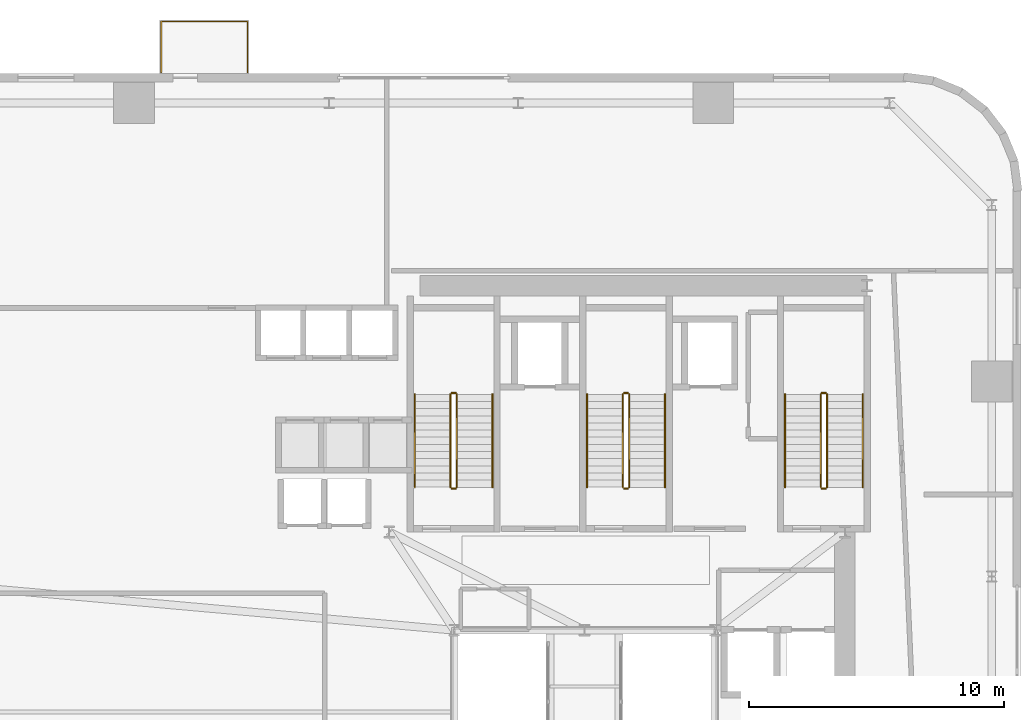
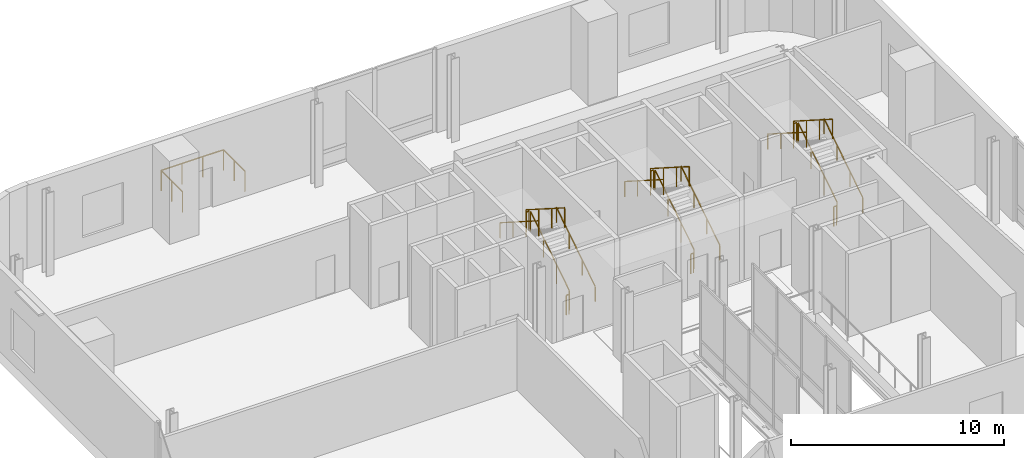
# One storey, part 12 of 13: 19 railings.
"""IFC4 building model written with IfcOpenShell, lengths in metres."""

from ifc_helpers import new_model, si_unit, direction, frame, origin, origin_2d, place, context, subcontext, project, spatial, rectangle, extrude, source, transform, mapped, material, type_object, element, save


model = new_model("IFC4")

# Units and contexts
model_context = context("Model", 3, precision=1e-05, world=origin(), true_north=direction((0.0, 1.0)))
body_context = subcontext(model_context, "Body", "Model", "MODEL_VIEW")
ifc_project = project(units=[si_unit("LENGTHUNIT", "METRE"), si_unit("AREAUNIT", "SQUARE_METRE"), si_unit("VOLUMEUNIT", "CUBIC_METRE"), si_unit("PLANEANGLEUNIT", "RADIAN"), si_unit("MASSUNIT", "GRAM", prefix="KILO")], contexts=[model_context])

# Site, building, storey
site_placement = place(None, origin())
site = spatial("IfcSite", under=ifc_project, at=site_placement, CompositionType="ELEMENT")
building_placement = place(site_placement, origin())
building = spatial("IfcBuilding", under=site, at=building_placement, Name="Vardaveli Station Tower", CompositionType="ELEMENT")
storey_placement = place(building_placement, frame((0.0, 0.0, 98.699951171875)))
storey = spatial("IfcBuildingStorey", under=building, at=storey_placement, Name="L25", CompositionType="ELEMENT", Elevation=98.699951171875)

# Railings
ifc_material_1 = material(Name="Laminated glass and stainless steel balustrade", Category="steel")
railing_type_1 = type_object("IfcRailingType", Name="RL-BAL-1200", PredefinedType="BALUSTRADE", material=ifc_material_1)
shared_shape_1 = source(origin(), body_context, "Body", "SweptSolid", [
    extrude(rectangle(XDim=0.048095703125, YDim=0.048095703125, at=origin_2d()), frame((0.0, 0.0, 1.17578125), z_axis=(0.0, 1.0, 0.0), x_axis=(-1.0, 0.0, 0.0)), (0.0, 0.0, 1.0), 2.0),
    extrude(rectangle(XDim=0.048095703125, YDim=0.048095703125, at=origin_2d()), frame((0.0, 2.0, 1.17578125), z_axis=(1.0, 0.0, 0.0), x_axis=(0.0, 1.0, 0.0)), (0.0, 0.0, 1.0), 3.3798828125),
    extrude(rectangle(XDim=0.048095703125, YDim=0.048095703125, at=origin_2d()), frame((3.3798828125, 2.0, 1.17578125), z_axis=(0.0, -1.0, 0.0), x_axis=(1.0, 0.0, 0.0)), (0.0, 0.0, 1.0), 2.0),
    extrude(rectangle(XDim=0.0419921875, YDim=0.0419921875, at=origin_2d()), origin(), (0.0, 0.0, 1.0), 1.15185546875),
    extrude(rectangle(XDim=0.0419921875, YDim=0.0419921875, at=origin_2d()), frame((0.0, 1.0, 0.0)), (0.0, 0.0, 1.0), 1.15185546875),
    extrude(rectangle(XDim=0.0419921875, YDim=0.0419921875, at=origin_2d()), frame((0.0, 2.0, 0.0)), (0.0, 0.0, 1.0), 1.15185546875),
    extrude(rectangle(XDim=0.0419921875, YDim=0.0419921875, at=origin_2d()), frame((1.126708984375, 2.0, 0.0)), (0.0, 0.0, 1.0), 1.15185546875),
    extrude(rectangle(XDim=0.0419921875, YDim=0.0419921875, at=origin_2d()), frame((2.253173828125, 2.0, 0.0)), (0.0, 0.0, 1.0), 1.15185546875),
    extrude(rectangle(XDim=0.0419921875, YDim=0.0419921875, at=origin_2d()), frame((3.3798828125, 2.0, 0.0)), (0.0, 0.0, 1.0), 1.15185546875),
    extrude(rectangle(XDim=0.0419921875, YDim=0.0419921875, at=origin_2d()), frame((3.3798828125, 1.0, 0.0)), (0.0, 0.0, 1.0), 1.15185546875),
    extrude(rectangle(XDim=0.0419921875, YDim=0.0419921875, at=origin_2d()), frame((3.3798828125, 0.0, 0.0)), (0.0, 0.0, 1.0), 1.15185546875),
])
railing_placement = place(storey_placement, frame((19.720458984375, 48.639892578125, 0.0)))
element("IfcRailing", 1, at=railing_placement, inside=storey, type_object=railing_type_1, Name="RL-LOG-L25-02", PredefinedType="BALUSTRADE", context=body_context, shape_type="MappedRepresentation", body=[
    mapped(shared_shape_1, transform((0.0, 0.0, 0.0), scale=1.0)),
])
ifc_material_2 = material(Name="Brushed AISI 316 stainless steel", Category="steel")
railing_type_2 = type_object("IfcRailingType", Name="RL-GUARD-1150", PredefinedType="GUARDRAIL", material=ifc_material_2)
shared_shape_2 = source(origin(), body_context, "Body", "SweptSolid", [
    extrude(rectangle(XDim=0.048095703125, YDim=0.048095703125, at=origin_2d()), frame((0.0, 0.0, 1.1259765625), z_axis=(-1.0, 0.0, 0.0), x_axis=(0.0, -1.0, 0.0)), (0.0, 0.0, 1.0), 0.14990234375),
    extrude(rectangle(XDim=0.0419921875, YDim=0.0419921875, at=origin_2d()), origin(), (0.0, 0.0, 1.0), 1.101806640625),
    extrude(rectangle(XDim=0.0419921875, YDim=0.0419921875, at=origin_2d()), frame((-0.14990234375, 0.0, 0.0)), (0.0, 0.0, 1.0), 1.101806640625),
])
for number, where, name in (
    (2, (31.25, 36.090087890625, 2.5), "L25 ST-1 stair guard 2"),
    (3, (31.25, 32.35009765625, 0.0), "L25 ST-1 stair guard 4"),
    (4, (38.0, 36.090087890625, 2.5), "L25 ST-2 stair guard 2"),
    (5, (38.0, 32.35009765625, 0.0), "L25 ST-2 stair guard 4"),
    (6, (45.75, 36.090087890625, 2.5), "L25 ST-3 stair guard 2"),
    (7, (45.75, 32.35009765625, 0.0), "L25 ST-3 stair guard 4"),
):
    element("IfcRailing", number, at=place(storey_placement, frame(where)), inside=storey, type_object=railing_type_2, Name=name, PredefinedType="GUARDRAIL", context=body_context, shape_type="MappedRepresentation", body=[
        mapped(shared_shape_2, transform((0.0, 0.0, 0.0), scale=1.0)),
    ])
shared_shape_3 = source(origin(), body_context, "Body", "SweptSolid", [
    extrude(rectangle(XDim=0.048095703125, YDim=0.048095703125, at=origin_2d()), frame((0.0, 0.0, 1.1259765625), z_axis=(0.0, 0.843153495434, 0.537672933239), x_axis=(-1.0, 0.0, 0.0)), (0.0, 0.0, 1.0), 4.3173828125),
    extrude(rectangle(XDim=0.0419921875, YDim=0.0419921875, at=origin_2d()), origin(), (0.0, 0.0, 1.0), 1.101806640625),
    extrude(rectangle(XDim=0.0419921875, YDim=0.0419921875, at=origin_2d()), frame((0.0, 1.21337890625, 0.773681640625)), (0.0, 0.0, 1.0), 1.101806640625),
    extrude(rectangle(XDim=0.0419921875, YDim=0.0419921875, at=origin_2d()), frame((0.0, 2.4267578125, 1.547607421875)), (0.0, 0.0, 1.0), 1.101806640625),
    extrude(rectangle(XDim=0.0419921875, YDim=0.0419921875, at=origin_2d()), frame((0.0, 3.64013671875, 2.3212890625)), (0.0, 0.0, 1.0), 1.101806640625),
])
for number, where, name in (
    (8, (31.300048828125, 32.39990234375, 0.1787109375), "L25 ST-1 stair guard 1"),
    (9, (38.050048828125, 32.39990234375, 0.1787109375), "L25 ST-2 stair guard 1"),
    (10, (45.800048828125, 32.39990234375, 0.1787109375), "L25 ST-3 stair guard 1"),
):
    element("IfcRailing", number, at=place(storey_placement, frame(where)), inside=storey, type_object=railing_type_2, Name=name, PredefinedType="GUARDRAIL", context=body_context, shape_type="MappedRepresentation", body=[
        mapped(shared_shape_3, transform((0.0, 0.0, 0.0), scale=1.0)),
    ])
shared_shape_4 = source(origin(), body_context, "Body", "SweptSolid", [
    extrude(rectangle(XDim=0.048095703125, YDim=0.048095703125, at=origin_2d()), frame((0.0, 0.0, 1.1259765625), z_axis=(0.0, -0.843153495434, 0.537672933239), x_axis=(1.0, 0.0, 0.0)), (0.0, 0.0, 1.0), 4.3173828125),
    extrude(rectangle(XDim=0.0419921875, YDim=0.0419921875, at=origin_2d()), origin(), (0.0, 0.0, 1.0), 1.101806640625),
    extrude(rectangle(XDim=0.0419921875, YDim=0.0419921875, at=origin_2d()), frame((0.0, -1.21337890625, 0.773681640625)), (0.0, 0.0, 1.0), 1.101806640625),
    extrude(rectangle(XDim=0.0419921875, YDim=0.0419921875, at=origin_2d()), frame((0.0, -2.4267578125, 1.547607421875)), (0.0, 0.0, 1.0), 1.101806640625),
    extrude(rectangle(XDim=0.0419921875, YDim=0.0419921875, at=origin_2d()), frame((0.0, -3.64013671875, 2.3212890625)), (0.0, 0.0, 1.0), 1.101806640625),
])
for number, where, name in (
    (11, (31.050048828125, 36.0400390625, 2.6787109375), "L25 ST-1 stair guard 3"),
    (12, (37.800048828125, 36.0400390625, 2.6787109375), "L25 ST-2 stair guard 3"),
    (13, (45.550048828125, 36.0400390625, 2.6787109375), "L25 ST-3 stair guard 3"),
):
    element("IfcRailing", number, at=place(storey_placement, frame(where)), inside=storey, type_object=railing_type_2, Name=name, PredefinedType="GUARDRAIL", context=body_context, shape_type="MappedRepresentation", body=[
        mapped(shared_shape_4, transform((0.0, 0.0, 0.0), scale=1.0)),
    ])
railing_type_3 = type_object("IfcRailingType", Name="RL-HAND-900", PredefinedType="HANDRAIL", material=ifc_material_2)
shared_shape_5 = source(origin(), body_context, "Body", "SweptSolid", [
    extrude(rectangle(XDim=0.048095703125, YDim=0.048095703125, at=origin_2d()), frame((0.0, 0.0, 0.8759765625), z_axis=(0.0, 0.843153495434, 0.537672933239), x_axis=(-1.0, 0.0, 0.0)), (0.0, 0.0, 1.0), 4.3173828125),
    extrude(rectangle(XDim=0.0419921875, YDim=0.0419921875, at=origin_2d()), origin(), (0.0, 0.0, 1.0), 0.851806640625),
    extrude(rectangle(XDim=0.0419921875, YDim=0.0419921875, at=origin_2d()), frame((0.0, 1.21337890625, 0.773681640625)), (0.0, 0.0, 1.0), 0.851806640625),
    extrude(rectangle(XDim=0.0419921875, YDim=0.0419921875, at=origin_2d()), frame((0.0, 2.4267578125, 1.547607421875)), (0.0, 0.0, 1.0), 0.851806640625),
    extrude(rectangle(XDim=0.0419921875, YDim=0.0419921875, at=origin_2d()), frame((0.0, 3.64013671875, 2.3212890625)), (0.0, 0.0, 1.0), 0.851806640625),
])
for number, where, name in (
    (14, (32.699951171875, 32.39990234375, 0.1787109375), "L25 ST-1 stair handrail 1"),
    (15, (39.449951171875, 32.39990234375, 0.1787109375), "L25 ST-2 stair handrail 1"),
    (16, (47.199951171875, 32.39990234375, 0.1787109375), "L25 ST-3 stair handrail 1"),
):
    element("IfcRailing", number, at=place(storey_placement, frame(where)), inside=storey, type_object=railing_type_3, Name=name, PredefinedType="HANDRAIL", context=body_context, shape_type="MappedRepresentation", body=[
        mapped(shared_shape_5, transform((0.0, 0.0, 0.0), scale=1.0)),
    ])
shared_shape_6 = source(origin(), body_context, "Body", "SweptSolid", [
    extrude(rectangle(XDim=0.048095703125, YDim=0.048095703125, at=origin_2d()), frame((0.0, 0.0, 0.8759765625), z_axis=(0.0, -0.843153495434, 0.537672933239), x_axis=(1.0, 0.0, 0.0)), (0.0, 0.0, 1.0), 4.3173828125),
    extrude(rectangle(XDim=0.0419921875, YDim=0.0419921875, at=origin_2d()), origin(), (0.0, 0.0, 1.0), 0.851806640625),
    extrude(rectangle(XDim=0.0419921875, YDim=0.0419921875, at=origin_2d()), frame((0.0, -1.21337890625, 0.773681640625)), (0.0, 0.0, 1.0), 0.851806640625),
    extrude(rectangle(XDim=0.0419921875, YDim=0.0419921875, at=origin_2d()), frame((0.0, -2.4267578125, 1.547607421875)), (0.0, 0.0, 1.0), 0.851806640625),
    extrude(rectangle(XDim=0.0419921875, YDim=0.0419921875, at=origin_2d()), frame((0.0, -3.64013671875, 2.3212890625)), (0.0, 0.0, 1.0), 0.851806640625),
])
for number, where, name in (
    (17, (29.64990234375, 36.0400390625, 2.6787109375), "L25 ST-1 stair handrail 2"),
    (18, (36.39990234375, 36.0400390625, 2.6787109375), "L25 ST-2 stair handrail 2"),
    (19, (44.14990234375, 36.0400390625, 2.6787109375), "L25 ST-3 stair handrail 2"),
):
    element("IfcRailing", number, at=place(storey_placement, frame(where)), inside=storey, type_object=railing_type_3, Name=name, PredefinedType="HANDRAIL", context=body_context, shape_type="MappedRepresentation", body=[
        mapped(shared_shape_6, transform((0.0, 0.0, 0.0), scale=1.0)),
    ])

save(model, "model.ifc")
